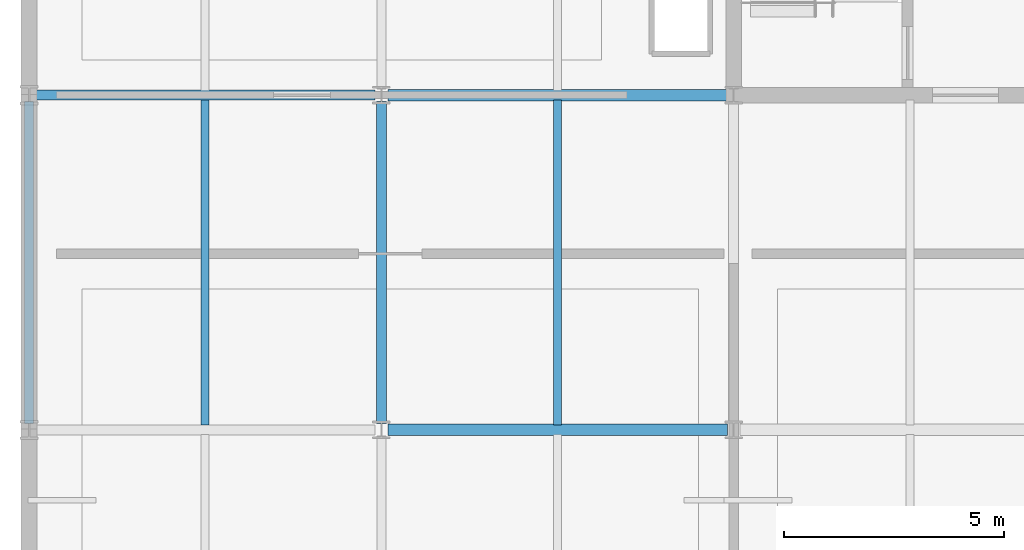
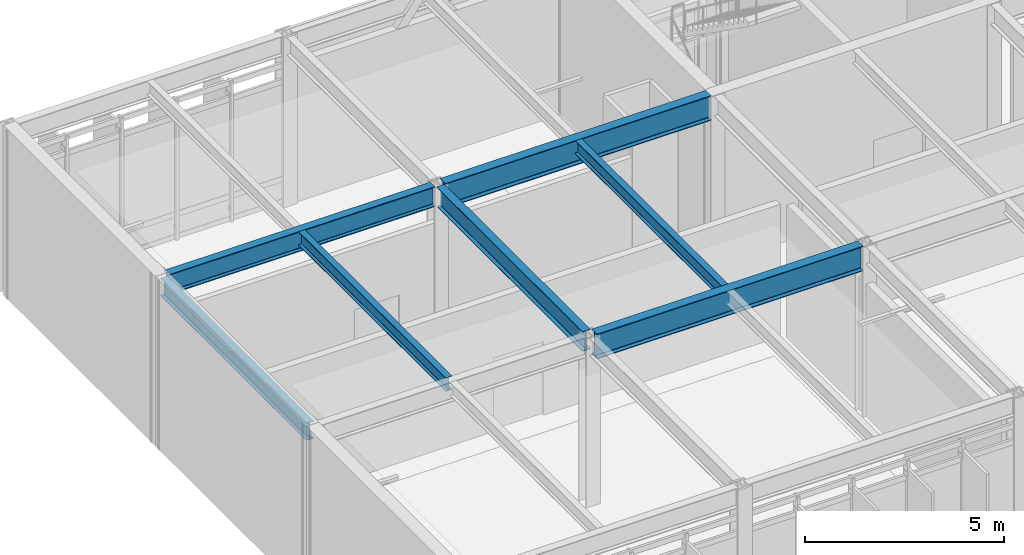
# One storey, part 22 of 94: 7 beams.
"""IFC4 building model written with IfcOpenShell, lengths in metres."""

import ifcopenshell
import ifcopenshell.guid

model = None  # the IFC model being written
_history = None  # IfcOwnerHistory: only IFC2X3 demands one
_inside = {}  # id of a spatial element -> (the spatial element, [elements in it])
_under = {}  # id of a project, library or spatial element -> (it, [spatial elements below it])
_declared = {}  # id of a project -> (the project, [libraries it declares])
_typed = {}  # id of a type object -> (the type object, [elements of that type])
_made_of = {}  # id of a material, layer set ... -> (it, [elements and type objects made of it])


def new_model(schema):
    """Start an empty IFC model of exactly this schema.

    Asked for "IFC4X3", IfcOpenShell would pick the latest addendum, in which some entities
    have other attributes; the version numbers below select the first issue.
    IFC2X3 requires an IfcOwnerHistory on every rooted entity: one is made here for all.
    """
    global model, _history
    if schema == "IFC4X3":
        model = ifcopenshell.file(schema_version=(4, 3, 0, 0))
    else:
        model = ifcopenshell.file(schema=schema)
    _inside.clear()
    _under.clear()
    _declared.clear()
    _typed.clear()
    _made_of.clear()
    _history = None
    if model.schema == "IFC2X3":
        org = make("IfcOrganization", Name="unknown")
        user = make(
            "IfcPersonAndOrganization",
            ThePerson=make("IfcPerson", FamilyName="unknown"),
            TheOrganization=org,
        )
        app = make(
            "IfcApplication",
            ApplicationDeveloper=org,
            Version="unknown",
            ApplicationFullName="unknown",
            ApplicationIdentifier="unknown",
        )
        _history = make(
            "IfcOwnerHistory",
            OwningUser=user,
            OwningApplication=app,
            ChangeAction="ADDED",
            CreationDate=0,
        )
    return model


def make(cls, **values):
    """One entity of the class cls with the attributes given. An attribute that is None is left unset."""
    return model.create_entity(
        cls, **{name: value for name, value in values.items() if value is not None}
    )


def rooted(cls, **values):
    """An entity with a GlobalId (a new one), such as an element, a storey or a relation."""
    return make(cls, GlobalId=ifcopenshell.guid.new(), OwnerHistory=_history, **values)


def si_unit(unit_type, name, prefix=None):
    """IfcSIUnit, for example si_unit("LENGTHUNIT", "METRE", prefix="MILLI")."""
    return make("IfcSIUnit", UnitType=unit_type, Prefix=prefix, Name=name)


def assignment(units):
    """IfcUnitAssignment: the units of a project."""
    return None if units is None else make("IfcUnitAssignment", Units=units)


def point(xyz):
    """IfcCartesianPoint."""
    return None if xyz is None else make("IfcCartesianPoint", Coordinates=xyz)


def direction(xyz):
    """IfcDirection."""
    return None if xyz is None else make("IfcDirection", DirectionRatios=xyz)


def frame(location, z_axis=None, x_axis=None):
    """IfcAxis2Placement3D, a coordinate frame: its origin and axes. An axis left out is left unset."""
    return make(
        "IfcAxis2Placement3D",
        Location=point(location),
        Axis=direction(z_axis),
        RefDirection=direction(x_axis),
    )


def frame_2d(location, x_axis=None):
    """IfcAxis2Placement2D, a coordinate frame in the plane: its origin and x axis."""
    return make(
        "IfcAxis2Placement2D", Location=point(location), RefDirection=direction(x_axis)
    )


def origin():
    """The frame at (0, 0, 0) with its axes left unset."""
    return frame((0.0, 0.0, 0.0))


def origin_2d():
    """The frame at (0, 0) in the plane with its x axis left unset."""
    return frame_2d((0.0, 0.0))


def place(relative_to, where):
    """IfcLocalPlacement: puts the frame where relative to a parent placement (None: the world)."""
    return make(
        "IfcLocalPlacement", PlacementRelTo=relative_to, RelativePlacement=where
    )


def context(
    kind, dimensions, precision=None, world=None, true_north=None, identifier=None
):
    """IfcGeometricRepresentationContext, for example the 3D "Model" context."""
    return make(
        "IfcGeometricRepresentationContext",
        ContextIdentifier=identifier,
        ContextType=kind,
        CoordinateSpaceDimension=dimensions,
        Precision=precision,
        WorldCoordinateSystem=world,
        TrueNorth=true_north,
    )


def subcontext(parent, identifier, kind, view, scale=None):
    """IfcGeometricRepresentationSubContext, for example "Body" below "Model"."""
    return make(
        "IfcGeometricRepresentationSubContext",
        ContextIdentifier=identifier,
        ContextType=kind,
        ParentContext=parent,
        TargetScale=scale,
        TargetView=view,
    )


def project(units=None, contexts=None):
    """IfcProject with its units and contexts."""
    return rooted(
        "IfcProject",
        Name="project",
        RepresentationContexts=contexts,
        UnitsInContext=assignment(units),
    )


def spatial(cls, under=None, at=None, **own):
    """A site, building, storey or space (cls), placed at a placement, below another one or the project."""
    s = rooted(cls, ObjectPlacement=at, **own)
    if under is not None:
        _under.setdefault(under.id(), (under, []))[1].append(s)
    return s


def profile(cls, at=None, kind="AREA", **sizes):
    """A parametric profile (cls). Its sizes go by their IFC names, for example OverallWidth=200.0."""
    return make(cls, ProfileType=kind, Position=at, **sizes)


def i_section(**sizes):
    """IfcIShapeProfileDef."""
    return profile("IfcIShapeProfileDef", **sizes)


def extrude(swept, where, along, depth):
    """IfcExtrudedAreaSolid: the profile swept, set in the frame where, extruded along a direction by depth."""
    return make(
        "IfcExtrudedAreaSolid",
        SweptArea=swept,
        Position=where,
        ExtrudedDirection=direction(along),
        Depth=depth,
    )


def shape(context_of_items, identifier, shape_type, items):
    """IfcShapeRepresentation: the items that make up one representation, for example the "Body"."""
    return make(
        "IfcShapeRepresentation",
        ContextOfItems=context_of_items,
        RepresentationIdentifier=identifier,
        RepresentationType=shape_type,
        Items=items,
    )


def material(Name=None, Category=None):
    """IfcMaterial."""
    return make("IfcMaterial", Name=Name, Category=Category)


def material_profile(
    of_material, cross_section, Name=None, Category=None, Priority=None
):
    """IfcMaterialProfile: a cross section and its material."""
    return make(
        "IfcMaterialProfile",
        Name=Name,
        Material=of_material,
        Profile=cross_section,
        Priority=Priority,
        Category=Category,
    )


def profile_set(profiles, Name=None, composite=None):
    """IfcMaterialProfileSet."""
    return make(
        "IfcMaterialProfileSet",
        Name=Name,
        MaterialProfiles=profiles,
        CompositeProfile=composite,
    )


def made_of(thing, what):
    """Note that an element or type object is made of a material, layer set ...; save() writes the relation."""
    if what is not None:
        _made_of.setdefault(what.id(), (what, []))[1].append(thing)
    return thing


def type_object(cls, material=None, **own):
    """A type object (cls), such as IfcWallType, which elements share."""
    return made_of(rooted(cls, **own), material)


def element(
    cls,
    number,
    at=None,
    inside=None,
    cuts=None,
    type_object=None,
    material=None,
    context=None,
    identifier="Body",
    shape_type=None,
    held_by="IfcProductDefinitionShape",
    body=None,
    shapes=None,
    **own,
):
    """One element of the class cls, such as IfcWall. Its Tag is "e" and its number.

    at: its placement. inside: the storey or other place that contains it. cuts: it is an
    opening in that element (IfcRelVoidsElement). A single representation is given by context,
    identifier, shape_type and body (its items); several are given by shapes. held_by: the class
    of the entity that holds the representations. save() writes the other relations.
    """
    e = rooted(cls, Tag="e%d" % number, ObjectPlacement=at, **own)
    if body is not None:
        shapes = [shape(context, identifier, shape_type, body)]
    if shapes is not None:
        e.Representation = make(held_by, Representations=shapes)
    if inside is not None:
        _inside.setdefault(inside.id(), (inside, []))[1].append(e)
    if cuts is not None:
        rooted(
            "IfcRelVoidsElement", RelatingBuildingElement=cuts, RelatedOpeningElement=e
        )
    if type_object is not None:
        _typed.setdefault(type_object.id(), (type_object, []))[1].append(e)
    return made_of(e, material)


def aggregate(whole, parts):
    """IfcRelAggregates: a whole, such as a stair, and the parts it consists of."""
    return rooted("IfcRelAggregates", RelatingObject=whole, RelatedObjects=parts)


def save(model, path):
    """Write the relations noted so far, then the file.

    IfcRelAggregates (storeys below a building ...), IfcRelContainedInSpatialStructure (elements
    in a storey), IfcRelDefinesByType, IfcRelAssociatesMaterial and IfcRelDeclares: one each for
    every whole, place, type object, material and project.
    """
    for whole, parts in _under.values():
        aggregate(whole, parts)
    for where, things in _inside.values():
        rooted(
            "IfcRelContainedInSpatialStructure",
            RelatedElements=things,
            RelatingStructure=where,
        )
    for kind, things in _typed.values():
        rooted("IfcRelDefinesByType", RelatedObjects=things, RelatingType=kind)
    for what, things in _made_of.values():
        rooted("IfcRelAssociatesMaterial", RelatedObjects=things, RelatingMaterial=what)
    for by, libraries in _declared.values():
        rooted("IfcRelDeclares", RelatingContext=by, RelatedDefinitions=libraries)
    model.write(path)


model = new_model("IFC4")

# Units and contexts
model_context = context("Model", 3, precision=1e-05, world=origin(), true_north=direction((0.0, 1.0)))
body_context = subcontext(model_context, "Body", "Model", "MODEL_VIEW")
ifc_project = project(units=[si_unit("LENGTHUNIT", "METRE"), si_unit("AREAUNIT", "SQUARE_METRE"), si_unit("VOLUMEUNIT", "CUBIC_METRE"), si_unit("PLANEANGLEUNIT", "RADIAN"), si_unit("MASSUNIT", "GRAM", prefix="KILO")], contexts=[model_context])

# Site, building, storey
site_placement = place(None, origin())
site = spatial("IfcSite", under=ifc_project, at=site_placement, CompositionType="ELEMENT")
building_placement = place(site_placement, origin())
building = spatial("IfcBuilding", under=site, at=building_placement, Name="Zulena Civic Courthouse", CompositionType="ELEMENT")
storey_placement = place(building_placement, frame((0.0, 0.0, 5.39990234375)))
storey = spatial("IfcBuildingStorey", under=building, at=storey_placement, Name="L01", CompositionType="ELEMENT", Elevation=5.39990234375)

# Beams
ifc_material = material(Name="Steel ASTM A992 Grade 50", Category="steel")
ifc_material_profile_1 = material_profile(ifc_material, i_section(OverallWidth=0.22802734375, OverallDepth=0.60693359375, WebThickness=0.01123046875, FlangeThickness=0.017333984375, FilletRadius=0.0126953125, at=origin_2d()), Name="W24X76")
ifc_profile_set_1 = profile_set([ifc_material_profile_1], Name="Steel ASTM A992 Grade 50")
beam_type_1 = type_object("IfcBeamType", Name="Girder_W24X76", PredefinedType="BEAM", material=ifc_profile_set_1)
beam_1_placement = place(storey_placement, frame((12.0, 7.7451171875, 4.881591796875), z_axis=(0.0, 1.0, 0.0), x_axis=(-1.0, 0.0, 0.0)))
element("IfcBeam", 1, at=beam_1_placement, inside=storey, type_object=beam_type_1, Name="beam:Y:V2:L01:12.0:7.6_15.2", PredefinedType="BEAM", context=body_context, shape_type="SweptSolid", body=[
    extrude(i_section(OverallWidth=0.22802734375, OverallDepth=0.60693359375, WebThickness=0.01123046875, FlangeThickness=0.017333984375, FilletRadius=0.0126953125, at=origin_2d()), origin(), (0.0, 0.0, 1.0), 7.309814453125),
])
ifc_material_profile_2 = material_profile(ifc_material, i_section(OverallWidth=0.26708984375, OverallDepth=0.761962890625, WebThickness=0.014404296875, FlangeThickness=0.021484375, FilletRadius=0.0166015625, at=origin_2d()), Name="W30X116")
ifc_profile_set_2 = profile_set([ifc_material_profile_2], Name="Steel ASTM A992 Grade 50")
beam_type_2 = type_object("IfcBeamType", Name="Girder_W30X116", PredefinedType="BEAM", material=ifc_profile_set_2)
for number, where, z_axis, x_axis, name in (
    (2, (12.14501953125, 7.60009765625, 4.80419921875), (1.0, 0.0, 0.0), (0.0, 1.0, 0.0), "beam:X:V2:L01:7.6:12.0_20.0"),
    (3, (12.14501953125, 15.199951171875, 4.80419921875), (1.0, 0.0, 0.0), (0.0, 1.0, 0.0), "beam:X:V2:L01:15.2:12.0_20.0"),
):
    element("IfcBeam", number, at=place(storey_placement, frame(where, z_axis=z_axis, x_axis=x_axis)), inside=storey, type_object=beam_type_2, Name=name, PredefinedType="BEAM", context=body_context, shape_type="SweptSolid", body=[
        extrude(i_section(OverallWidth=0.26708984375, OverallDepth=0.761962890625, WebThickness=0.014404296875, FlangeThickness=0.021484375, FilletRadius=0.0166015625, at=origin_2d()), origin(), (0.0, 0.0, 1.0), 7.7099609375),
    ])
ifc_material_profile_3 = material_profile(ifc_material, i_section(OverallWidth=0.180908203125, OverallDepth=0.4169921875, WebThickness=0.010986328125, FlangeThickness=0.018310546875, FilletRadius=0.01025390625, at=origin_2d()), Name="W16X57")
ifc_profile_set_3 = profile_set([ifc_material_profile_3], Name="Steel ASTM A992 Grade 50")
beam_type_3 = type_object("IfcBeamType", Name="Joist_W16X57", PredefinedType="JOIST", material=ifc_profile_set_3)
for number, where, z_axis, x_axis, name in (
    (4, (8.0, 7.705078125, 4.9765625), (0.0, 1.0, 0.0), (-1.0, 0.0, 0.0), "joist:V2:L01:8.00:7.6_15.2"),
    (5, (16.0, 7.705078125, 4.9765625), (0.0, 1.0, 0.0), (-1.0, 0.0, 0.0), "joist:V2:L01:16.00:7.6_15.2"),
):
    element("IfcBeam", number, at=place(storey_placement, frame(where, z_axis=z_axis, x_axis=x_axis)), inside=storey, type_object=beam_type_3, Name=name, PredefinedType="JOIST", context=body_context, shape_type="SweptSolid", body=[
        extrude(i_section(OverallWidth=0.180908203125, OverallDepth=0.4169921875, WebThickness=0.010986328125, FlangeThickness=0.018310546875, FilletRadius=0.01025390625, at=origin_2d()), origin(), (0.0, 0.0, 1.0), 7.389892578125),
    ])
ifc_material_profile_4 = material_profile(ifc_material, i_section(OverallWidth=0.2099609375, OverallDepth=0.537109375, WebThickness=0.010986328125, FlangeThickness=0.017333984375, FilletRadius=0.0126953125, at=origin_2d()), Name="W21X68")
ifc_profile_set_4 = profile_set([ifc_material_profile_4], Name="Steel ASTM A992 Grade 50")
beam_type_4 = type_object("IfcBeamType", Name="Spandrel_W21X68", PredefinedType="SPANDREL", material=ifc_profile_set_4)
beam_2_placement = place(storey_placement, frame((4.0, 7.7451171875, 4.91650390625), z_axis=(0.0, 1.0, 0.0), x_axis=(-1.0, 0.0, 0.0)))
element("IfcBeam", 6, at=beam_2_placement, inside=storey, type_object=beam_type_4, Name="beam:Y:V2:L01:4.0:7.6_15.2", PredefinedType="SPANDREL", context=body_context, shape_type="SweptSolid", body=[
    extrude(i_section(OverallWidth=0.2099609375, OverallDepth=0.537109375, WebThickness=0.010986328125, FlangeThickness=0.017333984375, FilletRadius=0.0126953125, at=origin_2d()), origin(), (0.0, 0.0, 1.0), 7.309814453125),
])
ifc_material_profile_5 = material_profile(ifc_material, i_section(OverallWidth=0.22998046875, OverallDepth=0.616943359375, WebThickness=0.01318359375, FlangeThickness=0.022216796875, FilletRadius=0.0126953125, at=origin_2d()), Name="W24X94")
ifc_profile_set_5 = profile_set([ifc_material_profile_5], Name="Steel ASTM A992 Grade 50")
beam_type_5 = type_object("IfcBeamType", Name="Spandrel_W24X94", PredefinedType="SPANDREL", material=ifc_profile_set_5)
beam_3_placement = place(storey_placement, frame((4.14501953125, 15.199951171875, 4.876708984375), z_axis=(1.0, 0.0, 0.0), x_axis=(0.0, 1.0, 0.0)))
element("IfcBeam", 7, at=beam_3_placement, inside=storey, type_object=beam_type_5, Name="beam:X:V2:L01:15.2:4.0_12.0", PredefinedType="SPANDREL", context=body_context, shape_type="SweptSolid", body=[
    extrude(i_section(OverallWidth=0.22998046875, OverallDepth=0.616943359375, WebThickness=0.01318359375, FlangeThickness=0.022216796875, FilletRadius=0.0126953125, at=origin_2d()), origin(), (0.0, 0.0, 1.0), 7.7099609375),
])

save(model, "model.ifc")
